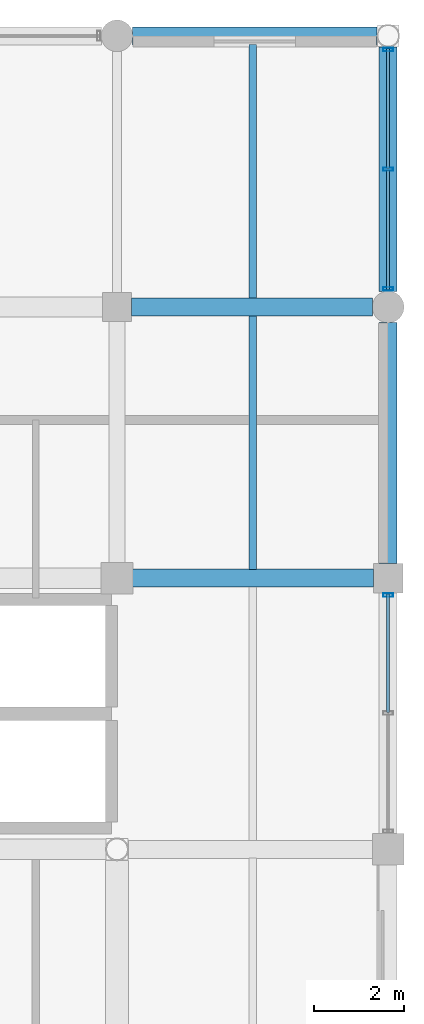
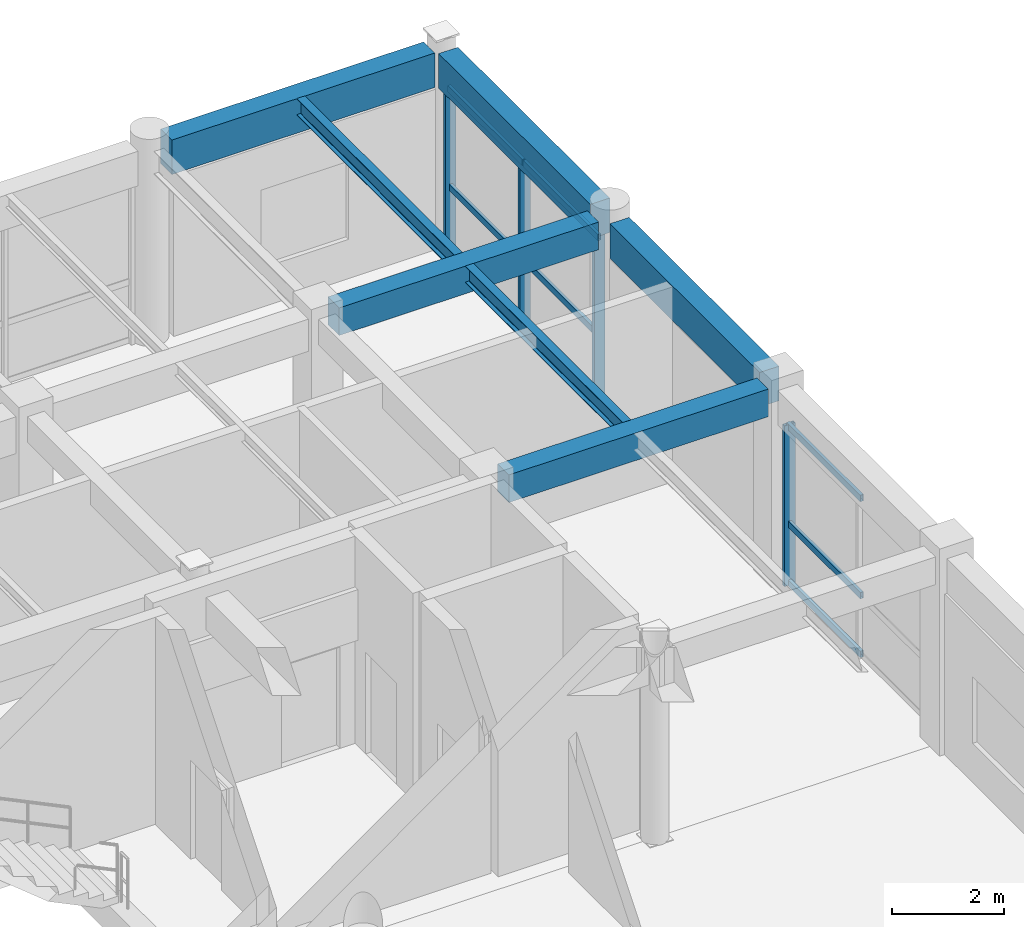
# One storey, part 76 of 116: 13 members, 7 beams, 2 elements without a shape of their own.
"""IFC4 building model written with IfcOpenShell, lengths in metres."""

from ifc_helpers import new_model, si_unit, direction, frame, origin, origin_2d, place, context, subcontext, project, spatial, rectangle, hollow_rectangle, i_section, extrude, material, material_profile, profile_set, type_object, element, aggregate, save


model = new_model("IFC4")

# Units and contexts
model_context = context("Model", 3, precision=1e-05, world=origin(), true_north=direction((0.0, 1.0)))
body_context = subcontext(model_context, "Body", "Model", "MODEL_VIEW")
ifc_project = project(units=[si_unit("LENGTHUNIT", "METRE"), si_unit("AREAUNIT", "SQUARE_METRE"), si_unit("VOLUMEUNIT", "CUBIC_METRE"), si_unit("PLANEANGLEUNIT", "RADIAN"), si_unit("MASSUNIT", "GRAM", prefix="KILO"), si_unit("THERMODYNAMICTEMPERATUREUNIT", "KELVIN"), si_unit("POWERUNIT", "WATT")], contexts=[model_context])

# Site, building, storey
site_placement = place(None, origin())
site = spatial("IfcSite", under=ifc_project, at=site_placement, CompositionType="ELEMENT")
building_placement = place(site_placement, origin())
building = spatial("IfcBuilding", under=site, at=building_placement, Name="Phaisarnlok Congress Hotel", CompositionType="ELEMENT")
storey_placement = place(building_placement, frame((0.0, 0.0, 10.5)))
storey = spatial("IfcBuildingStorey", under=building, at=storey_placement, Name="L02", CompositionType="ELEMENT", Elevation=10.5)

# Beams
ifc_material_1 = material(Name="Concrete C40/50", Category="concrete")
ifc_material_profile_1 = material_profile(ifc_material_1, rectangle(XDim=0.39990234375, YDim=0.60009765625, at=origin_2d()), Name="RC 400x600")
ifc_profile_set_1 = profile_set([ifc_material_profile_1], Name="Concrete C40/50")
beam_type_1 = type_object("IfcBeamType", Name="BM-RC-400x600", PredefinedType="BEAM", material=ifc_profile_set_1)
for number, where, z_axis, x_axis, name in (
    (1, (174.344970703125, 114.0, 3.93994140625), (1.0, 0.0, 0.0), (0.0, 1.0, 0.0), "Beam B-02"),
    (2, (174.320068359375, 120.0, 3.93994140625), (1.0, 0.0, 0.0), (0.0, 1.0, 0.0), "Beam B-02"),
):
    element("IfcBeam", number, at=place(storey_placement, frame(where, z_axis=z_axis, x_axis=x_axis)), inside=storey, type_object=beam_type_1, Name=name, PredefinedType="BEAM", context=body_context, shape_type="SweptSolid", body=[
        extrude(rectangle(XDim=0.39990234375, YDim=0.60009765625, at=origin_2d()), origin(), (0.0, 0.0, 1.0), 5.3349609375),
    ])

# Curtain wall, member
ifc_material_2 = material(Name="Thermally Broken Unitised Aluminium & Low-E Glazing", Category="aluminium")
curtain_wall_type_1 = type_object("IfcCurtainWallType", Name="CW-UNIT-16", PredefinedType="NOTDEFINED", material=ifc_material_2)
curtain_wall_1_placement = place(storey_placement, origin())
curtain_wall_1 = element("IfcCurtainWall", 3, at=curtain_wall_1_placement, inside=storey, type_object=curtain_wall_type_1, Name="Unitised curtain wall CW-16 (L02)", PredefinedType="NOTDEFINED")
ifc_material_3 = material(Name="Anodised Aluminium Alloy 6063-T6", Category="aluminium")
ifc_material_profile_2 = material_profile(ifc_material_3, hollow_rectangle(XDim=0.074951171875, YDim=0.219970703125, WallThickness=0.0048828125, at=origin_2d()), Name="ALU-M 75x220x5")
ifc_profile_set_2 = profile_set([ifc_material_profile_2], Name="Anodised Aluminium Alloy 6063-T6")
member_type_1 = type_object("IfcMemberType", Name="CWM-220", PredefinedType="MULLION", material=ifc_profile_set_2)
member_1_placement = place(storey_placement, frame((180.0, 113.625, 0.0), z_axis=(0.0, 0.0, 1.0), x_axis=(0.0, 1.0, 0.0)))
member_1 = element("IfcMember", 4, at=member_1_placement, type_object=member_type_1, Name="Curtain wall mullion CWM-02", PredefinedType="MULLION", context=body_context, shape_type="SweptSolid", body=[
    extrude(hollow_rectangle(XDim=0.074951171875, YDim=0.219970703125, WallThickness=0.0048828125, at=origin_2d()), origin(), (0.0, 0.0, 1.0), 3.489990234375),
])

# Curtain wall, members
curtain_wall_type_2 = type_object("IfcCurtainWallType", Name="CW-UNIT-17", PredefinedType="NOTDEFINED", material=ifc_material_2)
curtain_wall_2_placement = place(storey_placement, origin())
curtain_wall_2 = element("IfcCurtainWall", 5, at=curtain_wall_2_placement, inside=storey, type_object=curtain_wall_type_2, Name="Unitised curtain wall CW-17 (L02)", PredefinedType="NOTDEFINED")
member_2_placement = place(storey_placement, frame((180.0, 120.39990234375, 0.0), z_axis=(0.0, 0.0, 1.0), x_axis=(0.0, 1.0, 0.0)))
member_2 = element("IfcMember", 6, at=member_2_placement, type_object=member_type_1, Name="Curtain wall mullion CWM-02", PredefinedType="MULLION", context=body_context, shape_type="SweptSolid", body=[
    extrude(hollow_rectangle(XDim=0.074951171875, YDim=0.219970703125, WallThickness=0.0048828125, at=origin_2d()), origin(), (0.0, 0.0, 1.0), 3.489990234375),
])
member_3_placement = place(storey_placement, frame((180.0, 123.048095703125, 0.0), z_axis=(0.0, 0.0, 1.0), x_axis=(0.0, 1.0, 0.0)))
member_3 = element("IfcMember", 7, at=member_3_placement, type_object=member_type_1, Name="Curtain wall mullion CWM-02", PredefinedType="MULLION", context=body_context, shape_type="SweptSolid", body=[
    extrude(hollow_rectangle(XDim=0.074951171875, YDim=0.219970703125, WallThickness=0.0048828125, at=origin_2d()), origin(), (0.0, 0.0, 1.0), 3.489990234375),
])
member_4_placement = place(storey_placement, frame((180.0, 125.696044921875, 0.0), z_axis=(0.0, 0.0, 1.0), x_axis=(0.0, 1.0, 0.0)))
member_4 = element("IfcMember", 8, at=member_4_placement, type_object=member_type_1, Name="Curtain wall mullion CWM-02", PredefinedType="MULLION", context=body_context, shape_type="SweptSolid", body=[
    extrude(hollow_rectangle(XDim=0.074951171875, YDim=0.219970703125, WallThickness=0.0048828125, at=origin_2d()), origin(), (0.0, 0.0, 1.0), 3.489990234375),
])

# Member
ifc_material_profile_3 = material_profile(ifc_material_3, hollow_rectangle(XDim=0.06494140625, YDim=0.139892578125, WallThickness=0.00390625, at=origin_2d()), Name="ALU-T 65x140x4")
ifc_profile_set_3 = profile_set([ifc_material_profile_3], Name="Anodised Aluminium Alloy 6063-T6")
member_type_2 = type_object("IfcMemberType", Name="CWT-150", PredefinedType="USERDEFINED", material=ifc_profile_set_3)
member_5_placement = place(storey_placement, frame((180.0, 111.027587890625, 0.050048828125), z_axis=(0.0, 1.0, 0.0), x_axis=(-1.0, 0.0, 0.0)))
member_5 = element("IfcMember", 9, at=member_5_placement, type_object=member_type_2, Name="Curtain wall transom CWT-01", ObjectType="TRANSOM", PredefinedType="USERDEFINED", context=body_context, shape_type="SweptSolid", body=[
    extrude(hollow_rectangle(XDim=0.06494140625, YDim=0.139892578125, WallThickness=0.00390625, at=origin_2d()), origin(), (0.0, 0.0, 1.0), 2.622314453125),
])

member_6_placement = place(storey_placement, frame((180.0, 111.027587890625, 1.326171875), z_axis=(0.0, 1.0, 0.0), x_axis=(-1.0, 0.0, 0.0)))
member_6 = element("IfcMember", 10, at=member_6_placement, type_object=member_type_2, Name="Curtain wall transom CWT-01", ObjectType="TRANSOM", PredefinedType="USERDEFINED", context=body_context, shape_type="SweptSolid", body=[
    extrude(hollow_rectangle(XDim=0.06494140625, YDim=0.139892578125, WallThickness=0.00390625, at=origin_2d()), origin(), (0.0, 0.0, 1.0), 2.622314453125),
])

member_7_placement = place(storey_placement, frame((180.0, 111.027587890625, 3.43994140625), z_axis=(0.0, 1.0, 0.0), x_axis=(-1.0, 0.0, 0.0)))
member_7 = element("IfcMember", 11, at=member_7_placement, type_object=member_type_2, Name="Curtain wall transom CWT-01", ObjectType="TRANSOM", PredefinedType="USERDEFINED", context=body_context, shape_type="SweptSolid", body=[
    extrude(hollow_rectangle(XDim=0.06494140625, YDim=0.139892578125, WallThickness=0.00390625, at=origin_2d()), origin(), (0.0, 0.0, 1.0), 2.622314453125),
])

aggregate(curtain_wall_1, [member_1, member_5, member_6, member_7])

member_8_placement = place(storey_placement, frame((180.0, 120.375, 0.050048828125), z_axis=(0.0, 1.0, 0.0), x_axis=(-1.0, 0.0, 0.0)))
member_8 = element("IfcMember", 12, at=member_8_placement, type_object=member_type_2, Name="Curtain wall transom CWT-01", ObjectType="TRANSOM", PredefinedType="USERDEFINED", context=body_context, shape_type="SweptSolid", body=[
    extrude(hollow_rectangle(XDim=0.06494140625, YDim=0.139892578125, WallThickness=0.00390625, at=origin_2d()), origin(), (0.0, 0.0, 1.0), 2.657958984375),
])

member_9_placement = place(storey_placement, frame((180.0, 120.375, 1.326171875), z_axis=(0.0, 1.0, 0.0), x_axis=(-1.0, 0.0, 0.0)))
member_9 = element("IfcMember", 13, at=member_9_placement, type_object=member_type_2, Name="Curtain wall transom CWT-01", ObjectType="TRANSOM", PredefinedType="USERDEFINED", context=body_context, shape_type="SweptSolid", body=[
    extrude(hollow_rectangle(XDim=0.06494140625, YDim=0.139892578125, WallThickness=0.00390625, at=origin_2d()), origin(), (0.0, 0.0, 1.0), 2.657958984375),
])

member_10_placement = place(storey_placement, frame((180.0, 120.375, 3.43994140625), z_axis=(0.0, 1.0, 0.0), x_axis=(-1.0, 0.0, 0.0)))
member_10 = element("IfcMember", 14, at=member_10_placement, type_object=member_type_2, Name="Curtain wall transom CWT-01", ObjectType="TRANSOM", PredefinedType="USERDEFINED", context=body_context, shape_type="SweptSolid", body=[
    extrude(hollow_rectangle(XDim=0.06494140625, YDim=0.139892578125, WallThickness=0.00390625, at=origin_2d()), origin(), (0.0, 0.0, 1.0), 2.657958984375),
])

member_11_placement = place(storey_placement, frame((180.0, 123.06298828125, 0.050048828125), z_axis=(0.0, 1.0, 0.0), x_axis=(-1.0, 0.0, 0.0)))
member_11 = element("IfcMember", 15, at=member_11_placement, type_object=member_type_2, Name="Curtain wall transom CWT-01", ObjectType="TRANSOM", PredefinedType="USERDEFINED", context=body_context, shape_type="SweptSolid", body=[
    extrude(hollow_rectangle(XDim=0.06494140625, YDim=0.139892578125, WallThickness=0.00390625, at=origin_2d()), origin(), (0.0, 0.0, 1.0), 2.657958984375),
])

member_12_placement = place(storey_placement, frame((180.0, 123.06298828125, 1.326171875), z_axis=(0.0, 1.0, 0.0), x_axis=(-1.0, 0.0, 0.0)))
member_12 = element("IfcMember", 16, at=member_12_placement, type_object=member_type_2, Name="Curtain wall transom CWT-01", ObjectType="TRANSOM", PredefinedType="USERDEFINED", context=body_context, shape_type="SweptSolid", body=[
    extrude(hollow_rectangle(XDim=0.06494140625, YDim=0.139892578125, WallThickness=0.00390625, at=origin_2d()), origin(), (0.0, 0.0, 1.0), 2.657958984375),
])

member_13_placement = place(storey_placement, frame((180.0, 123.06298828125, 3.43994140625), z_axis=(0.0, 1.0, 0.0), x_axis=(-1.0, 0.0, 0.0)))
member_13 = element("IfcMember", 17, at=member_13_placement, type_object=member_type_2, Name="Curtain wall transom CWT-01", ObjectType="TRANSOM", PredefinedType="USERDEFINED", context=body_context, shape_type="SweptSolid", body=[
    extrude(hollow_rectangle(XDim=0.06494140625, YDim=0.139892578125, WallThickness=0.00390625, at=origin_2d()), origin(), (0.0, 0.0, 1.0), 2.657958984375),
])

aggregate(curtain_wall_2, [member_2, member_3, member_4, member_8, member_9, member_10, member_11, member_12, member_13])

# Beams
ifc_material_4 = material(Name="Steel S355", Category="steel")
ifc_material_profile_4 = material_profile(ifc_material_4, i_section(OverallWidth=0.169921875, OverallDepth=0.360107421875, WebThickness=0.008056640625, FlangeThickness=0.0126953125, FilletRadius=0.01806640625, at=origin_2d()), Name="IPE 360")
ifc_profile_set_4 = profile_set([ifc_material_profile_4], Name="Steel S355")
beam_type_2 = type_object("IfcBeamType", Name="JS-STL-IPE360", PredefinedType="JOIST", material=ifc_profile_set_4)
for number, where, z_axis, x_axis, name in (
    (18, (177.0, 114.195068359375, 4.06005859375), (0.0, 1.0, 0.0), (-1.0, 0.0, 0.0), "Secondary floor joist J-04"),
    (19, (177.0, 120.195068359375, 4.06005859375), (0.0, 1.0, 0.0), (-1.0, 0.0, 0.0), "Secondary floor joist J-04"),
):
    element("IfcBeam", number, at=place(storey_placement, frame(where, z_axis=z_axis, x_axis=x_axis)), inside=storey, type_object=beam_type_2, Name=name, PredefinedType="JOIST", context=body_context, shape_type="SweptSolid", body=[
        extrude(i_section(OverallWidth=0.169921875, OverallDepth=0.360107421875, WebThickness=0.008056640625, FlangeThickness=0.0126953125, FilletRadius=0.01806640625, at=origin_2d()), origin(), (0.0, 0.0, 1.0), 5.60986328125),
    ])
ifc_material_profile_5 = material_profile(ifc_material_1, rectangle(XDim=0.39990234375, YDim=0.75, at=origin_2d()), Name="RC 400x750")
ifc_profile_set_5 = profile_set([ifc_material_profile_5], Name="Concrete C40/50")
beam_type_3 = type_object("IfcBeamType", Name="SP-RC-400x750", PredefinedType="SPANDREL", material=ifc_profile_set_5)
beam_1_placement = place(storey_placement, frame((174.344970703125, 126.0, 3.864990234375), z_axis=(1.0, 0.0, 0.0), x_axis=(0.0, 1.0, 0.0)))
element("IfcBeam", 20, at=beam_1_placement, inside=storey, type_object=beam_type_3, Name="Beam SP-02", PredefinedType="SPANDREL", context=body_context, shape_type="SweptSolid", body=[
    extrude(rectangle(XDim=0.39990234375, YDim=0.75, at=origin_2d()), origin(), (0.0, 0.0, 1.0), 5.406005859375),
])
beam_2_placement = place(storey_placement, frame((180.0, 114.320068359375, 3.864990234375), z_axis=(0.0, 1.0, 0.0), x_axis=(-1.0, 0.0, 0.0)))
element("IfcBeam", 21, at=beam_2_placement, inside=storey, type_object=beam_type_3, Name="Beam SP-02", PredefinedType="SPANDREL", context=body_context, shape_type="SweptSolid", body=[
    extrude(rectangle(XDim=0.39990234375, YDim=0.75, at=origin_2d()), origin(), (0.0, 0.0, 1.0), 5.3349609375),
])
beam_3_placement = place(storey_placement, frame((180.0, 120.344970703125, 3.864990234375), z_axis=(0.0, 1.0, 0.0), x_axis=(-1.0, 0.0, 0.0)))
element("IfcBeam", 22, at=beam_3_placement, inside=storey, type_object=beam_type_3, Name="Beam SP-02", PredefinedType="SPANDREL", context=body_context, shape_type="SweptSolid", body=[
    extrude(rectangle(XDim=0.39990234375, YDim=0.75, at=origin_2d()), origin(), (0.0, 0.0, 1.0), 5.406005859375),
])

save(model, "model.ifc")
